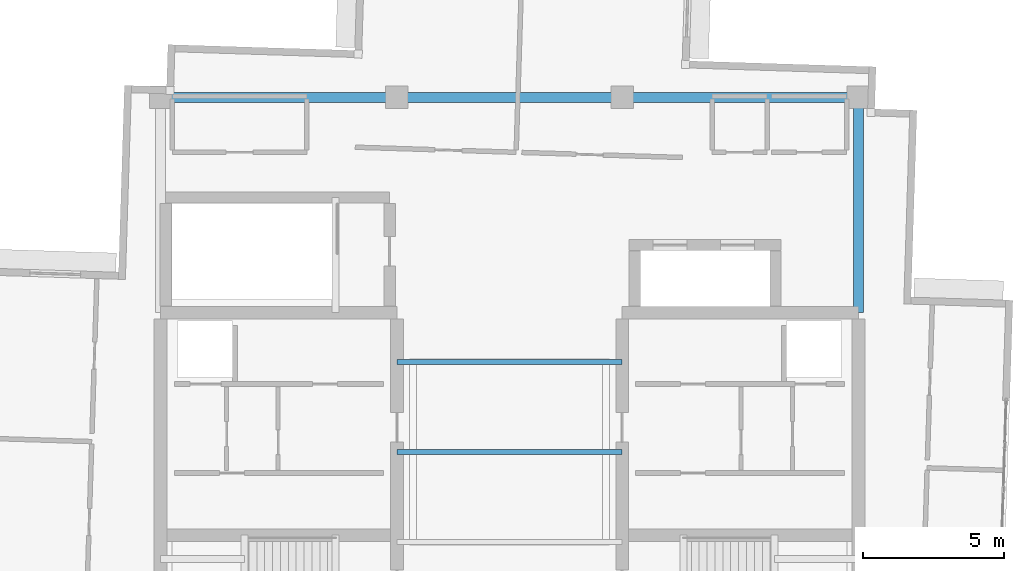
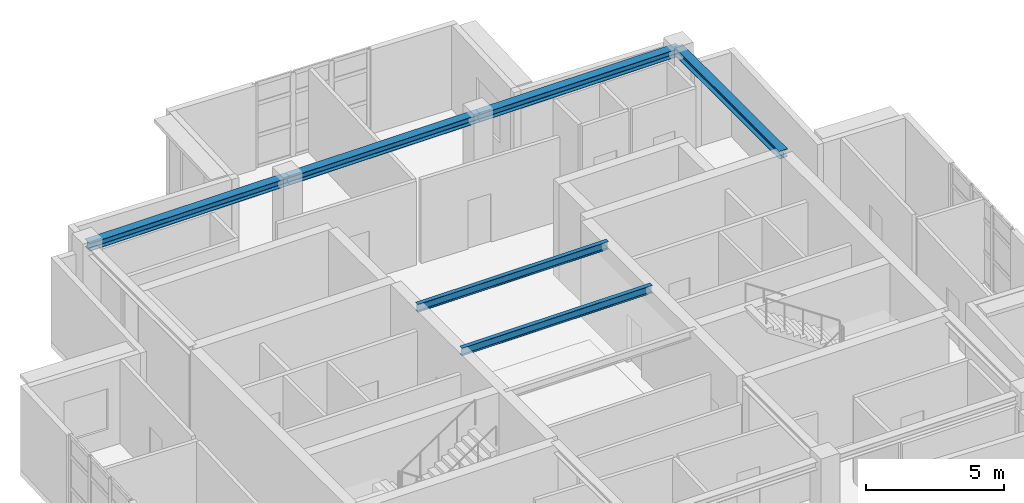
# One storey, part 6 of 14: 6 beams.
"""IFC4 building model written with IfcOpenShell, lengths in metres."""

from ifc_helpers import new_model, si_unit, direction, frame, origin, origin_2d, place, context, subcontext, project, spatial, i_section, extrude, material, material_profile, profile_set, type_object, element, save


model = new_model("IFC4")

# Units and contexts
model_context = context("Model", 3, precision=1e-05, world=origin(), true_north=direction((0.0, 1.0)))
body_context = subcontext(model_context, "Body", "Model", "MODEL_VIEW")
ifc_project = project(units=[si_unit("LENGTHUNIT", "METRE"), si_unit("AREAUNIT", "SQUARE_METRE"), si_unit("VOLUMEUNIT", "CUBIC_METRE"), si_unit("PLANEANGLEUNIT", "RADIAN"), si_unit("MASSUNIT", "GRAM", prefix="KILO")], contexts=[model_context])

# Site, building, storey
site_placement = place(None, origin())
site = spatial("IfcSite", under=ifc_project, at=site_placement, CompositionType="ELEMENT")
building_placement = place(site_placement, origin())
building = spatial("IfcBuilding", under=site, at=building_placement, Name="Qingluan Cross Belvedere", CompositionType="ELEMENT")
storey_placement = place(building_placement, frame((0.0, 0.0, 317.39990234375)))
storey = spatial("IfcBuildingStorey", under=building, at=storey_placement, Name="L78", CompositionType="ELEMENT", Elevation=317.39990234375)

# Beams
ifc_material_1 = material(Name="Steel Q420GJB", Category="steel")
ifc_material_profile_1 = material_profile(ifc_material_1, i_section(OverallWidth=0.175048828125, OverallDepth=0.35009765625, WebThickness=0.007080078125, FlangeThickness=0.010986328125, FilletRadius=0.012939453125, at=origin_2d()), Name="HN350x175x7x11")
ifc_profile_set_1 = profile_set([ifc_material_profile_1], Name="Steel Q420GJB")
beam_type_1 = type_object("IfcBeamType", Name="Steel_Beam_HN350x175x7x11", PredefinedType="JOIST", material=ifc_profile_set_1)
for number, where, z_axis, x_axis, name in (
    (1, (-4.0, 0.0, 4.0751953125), (1.0, 0.0, 0.0), (0.0, 1.0, 0.0), "Hall beam L78-CH2"),
    (2, (-4.0, 3.199951171875, 4.0751953125), (1.0, 0.0, 0.0), (0.0, 1.0, 0.0), "Hall beam L78-CH3"),
):
    element("IfcBeam", number, at=place(storey_placement, frame(where, z_axis=z_axis, x_axis=x_axis)), inside=storey, type_object=beam_type_1, Name=name, PredefinedType="JOIST", context=body_context, shape_type="SweptSolid", body=[
        extrude(i_section(OverallWidth=0.175048828125, OverallDepth=0.35009765625, WebThickness=0.007080078125, FlangeThickness=0.010986328125, FilletRadius=0.012939453125, at=origin_2d()), origin(), (0.0, 0.0, 1.0), 8.0),
    ])
ifc_material_2 = material(Name="Steel Q420GJB", Category="steel")
ifc_material_profile_2 = material_profile(ifc_material_2, i_section(OverallWidth=0.35009765625, OverallDepth=0.35009765625, WebThickness=0.011962890625, FlangeThickness=0.01904296875, FilletRadius=0.02001953125, at=origin_2d()), Name="HW350x350x12x19")
ifc_profile_set_2 = profile_set([ifc_material_profile_2], Name="Steel Q420GJB")
beam_type_2 = type_object("IfcBeamType", Name="Steel_Girder_HW350x350x12x19", PredefinedType="USERDEFINED", material=ifc_profile_set_2)
beam_1_placement = place(storey_placement, frame((-12.39990234375, 12.60009765625, 4.0751953125), z_axis=(1.0, 0.0, 0.0), x_axis=(0.0, 1.0, 0.0)))
element("IfcBeam", 3, at=beam_1_placement, inside=storey, type_object=beam_type_2, Name="Hub girder L78-HG-N1", ObjectType="GIRDER", PredefinedType="USERDEFINED", context=body_context, shape_type="SweptSolid", body=[
    extrude(i_section(OverallWidth=0.35009765625, OverallDepth=0.35009765625, WebThickness=0.011962890625, FlangeThickness=0.01904296875, FilletRadius=0.02001953125, at=origin_2d()), origin(), (0.0, 0.0, 1.0), 8.39990234375),
])
beam_2_placement = place(storey_placement, frame((-4.0, 12.60009765625, 4.0751953125), z_axis=(1.0, 0.0, 0.0), x_axis=(0.0, 1.0, 0.0)))
element("IfcBeam", 4, at=beam_2_placement, inside=storey, type_object=beam_type_2, Name="Hub girder L78-HG-N2", ObjectType="GIRDER", PredefinedType="USERDEFINED", context=body_context, shape_type="SweptSolid", body=[
    extrude(i_section(OverallWidth=0.35009765625, OverallDepth=0.35009765625, WebThickness=0.011962890625, FlangeThickness=0.01904296875, FilletRadius=0.02001953125, at=origin_2d()), origin(), (0.0, 0.0, 1.0), 8.0),
])
beam_3_placement = place(storey_placement, frame((4.0, 12.60009765625, 4.0751953125), z_axis=(1.0, 0.0, 0.0), x_axis=(0.0, 1.0, 0.0)))
element("IfcBeam", 5, at=beam_3_placement, inside=storey, type_object=beam_type_2, Name="Hub girder L78-HG-N3", ObjectType="GIRDER", PredefinedType="USERDEFINED", context=body_context, shape_type="SweptSolid", body=[
    extrude(i_section(OverallWidth=0.35009765625, OverallDepth=0.35009765625, WebThickness=0.011962890625, FlangeThickness=0.01904296875, FilletRadius=0.02001953125, at=origin_2d()), origin(), (0.0, 0.0, 1.0), 8.39990234375),
])
beam_4_placement = place(storey_placement, frame((12.39990234375, 4.949951171875, 4.0751953125), z_axis=(0.0, 1.0, 0.0), x_axis=(-1.0, 0.0, 0.0)))
element("IfcBeam", 6, at=beam_4_placement, inside=storey, type_object=beam_type_2, Name="Hub girder L78-HG-E2", ObjectType="GIRDER", PredefinedType="USERDEFINED", context=body_context, shape_type="SweptSolid", body=[
    extrude(i_section(OverallWidth=0.35009765625, OverallDepth=0.35009765625, WebThickness=0.011962890625, FlangeThickness=0.01904296875, FilletRadius=0.02001953125, at=origin_2d()), origin(), (0.0, 0.0, 1.0), 7.650146484375),
])

save(model, "model.ifc")
